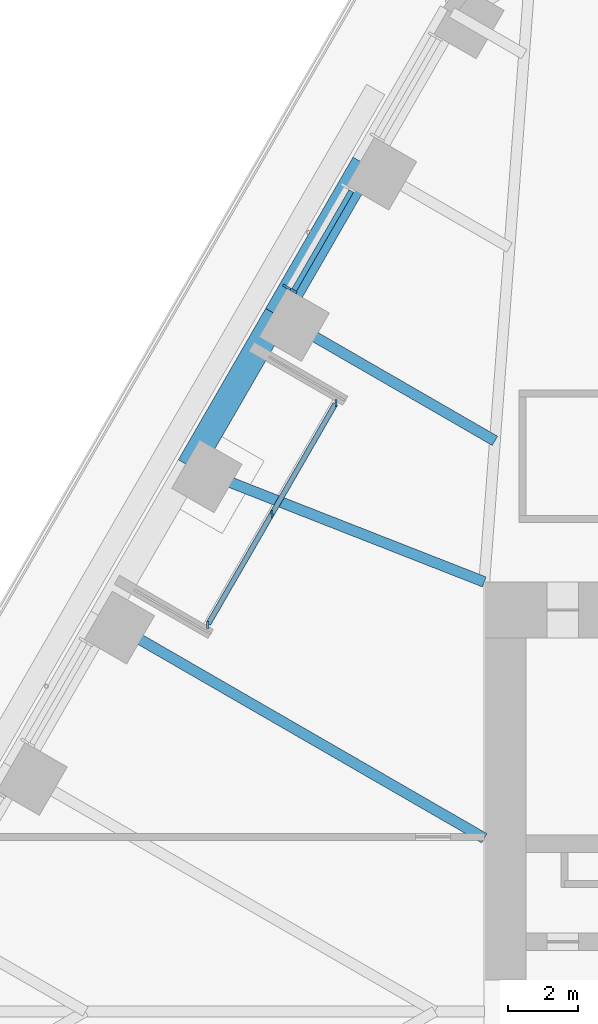
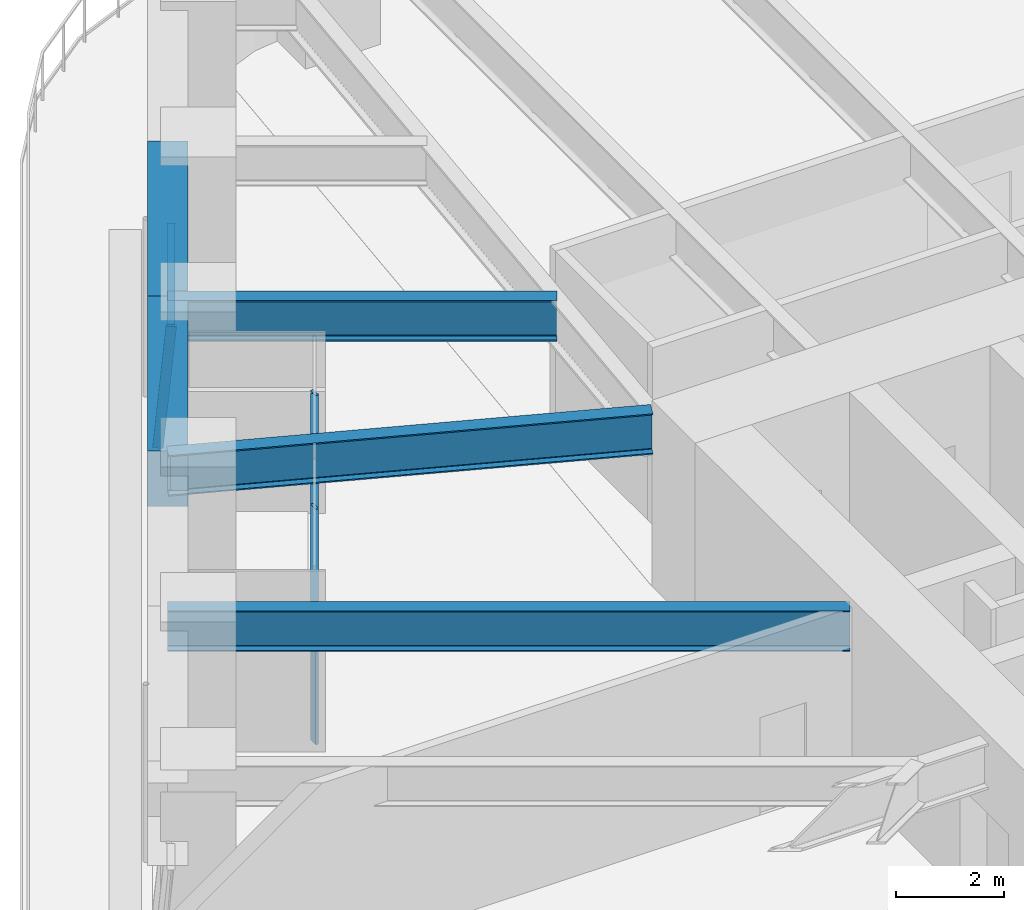
# One storey, part 8 of 24: 6 members, 5 beams, 2 elements without a shape of their own.
"""IFC4 building model written with IfcOpenShell, lengths in metres."""

from ifc_helpers import new_model, si_unit, direction, frame, origin, origin_2d, place, context, subcontext, project, spatial, rectangle, i_section, extrude, material, material_profile, profile_set, type_object, element, aggregate, save


model = new_model("IFC4")

# Units and contexts
model_context = context("Model", 3, precision=1e-05, world=origin(), true_north=direction((0.0, 1.0)))
body_context = subcontext(model_context, "Body", "Model", "MODEL_VIEW")
ifc_project = project(units=[si_unit("LENGTHUNIT", "METRE"), si_unit("AREAUNIT", "SQUARE_METRE"), si_unit("VOLUMEUNIT", "CUBIC_METRE"), si_unit("PLANEANGLEUNIT", "RADIAN"), si_unit("MASSUNIT", "GRAM", prefix="KILO")], contexts=[model_context])

# Site, building, storey
site_placement = place(None, origin())
site = spatial("IfcSite", under=ifc_project, at=site_placement, CompositionType="ELEMENT")
building_placement = place(site_placement, origin())
building = spatial("IfcBuilding", under=site, at=building_placement, Name="Tarfa Lantern Tower", CompositionType="ELEMENT")
storey_placement = place(building_placement, frame((0.0, 0.0, 169.89990234375)))
storey = spatial("IfcBuildingStorey", under=building, at=storey_placement, Name="L38", CompositionType="ELEMENT", Elevation=169.89990234375)

# Curtain wall, member
ifc_material_1 = material(Name="Aluminium framed curtain wall", Category="aluminium")
curtain_wall_type_1 = type_object("IfcCurtainWallType", Name="CW2 CANTED GLAZING MID ZONE 2750", PredefinedType="USERDEFINED", material=ifc_material_1)
curtain_wall_1_placement = place(storey_placement, origin())
curtain_wall_1 = element("IfcCurtainWall", 1, at=curtain_wall_1_placement, inside=storey, type_object=curtain_wall_type_1, Name="CW2 NW L38", ObjectType="CURTAIN WALL", PredefinedType="USERDEFINED")
ifc_material_2 = material(Name="Aluminium mullion", Category="aluminium")
ifc_material_profile_1 = material_profile(ifc_material_2, rectangle(XDim=0.06494140625, YDim=0.199951171875, at=origin_2d()), Name="AL MULLION 65x200")
ifc_profile_set_1 = profile_set([ifc_material_profile_1], Name="Aluminium mullion")
member_type_1 = type_object("IfcMemberType", Name="CWM1 MULLION 65x200", PredefinedType="MULLION", material=ifc_profile_set_1)
member_1_placement = place(storey_placement, frame((-24.275146484375, 20.75439453125, 0.0), z_axis=(0.078422950161, -0.045267813396, 0.995891894715), x_axis=(0.499919672301, 0.866071776036, 0.0)))
member_1 = element("IfcMember", 2, at=member_1_placement, type_object=member_type_1, Name="CW2 mullion 2", PredefinedType="MULLION", context=body_context, shape_type="SweptSolid", body=[
    extrude(rectangle(XDim=0.06494140625, YDim=0.199951171875, at=origin_2d()), origin(), (0.0, 0.0, 1.0), 2.76123046875),
])

# Curtain wall, members
curtain_wall_type_2 = type_object("IfcCurtainWallType", Name="CW10 LOGGIA GLAZING 2750", PredefinedType="USERDEFINED", material=ifc_material_1)
curtain_wall_2_placement = place(storey_placement, origin())
curtain_wall_2 = element("IfcCurtainWall", 3, at=curtain_wall_2_placement, inside=storey, type_object=curtain_wall_type_2, Name="CW10 NWL L38", ObjectType="CURTAIN WALL", PredefinedType="USERDEFINED")
member_2_placement = place(storey_placement, frame((-22.84619140625, 17.429443359375, 0.0), z_axis=(0.0, 0.0, 1.0), x_axis=(1.0, 0.0, 0.0)))
member_2 = element("IfcMember", 4, at=member_2_placement, type_object=member_type_1, Name="CW10 mullion 1", PredefinedType="MULLION", context=body_context, shape_type="SweptSolid", body=[
    extrude(rectangle(XDim=0.06494140625, YDim=0.199951171875, at=origin_2d()), origin(), (0.0, 0.0, 1.0), 2.75),
])
member_3_placement = place(storey_placement, frame((-24.681640625, 14.25, 0.0), z_axis=(0.0, 0.0, 1.0), x_axis=(1.0, 0.0, 0.0)))
member_3 = element("IfcMember", 5, at=member_3_placement, type_object=member_type_1, Name="CW10 mullion 2", PredefinedType="MULLION", context=body_context, shape_type="SweptSolid", body=[
    extrude(rectangle(XDim=0.06494140625, YDim=0.199951171875, at=origin_2d()), origin(), (0.0, 0.0, 1.0), 2.75),
])
member_4_placement = place(storey_placement, frame((-26.517333984375, 11.070556640625, 0.0), z_axis=(0.0, 0.0, 1.0), x_axis=(1.0, 0.0, 0.0)))
member_4 = element("IfcMember", 6, at=member_4_placement, type_object=member_type_1, Name="CW10 mullion 3", PredefinedType="MULLION", context=body_context, shape_type="SweptSolid", body=[
    extrude(rectangle(XDim=0.06494140625, YDim=0.199951171875, at=origin_2d()), origin(), (0.0, 0.0, 1.0), 2.75),
])

# Member
ifc_material_3 = material(Name="Aluminium transom", Category="aluminium")
ifc_material_profile_2 = material_profile(ifc_material_3, rectangle(XDim=0.14990234375, YDim=0.06494140625, at=origin_2d()), Name="AL TRANSOM 150x65")
ifc_profile_set_2 = profile_set([ifc_material_profile_2], Name="Aluminium transom")
member_type_2 = type_object("IfcMemberType", Name="CWT1 TRANSOM 150x65", PredefinedType="USERDEFINED", material=ifc_profile_set_2)
member_5_placement = place(storey_placement, frame((-22.407958984375, 23.494140625, 2.717529296875), z_axis=(-0.500012937857, -0.86601793398, 0.0), x_axis=(0.86601793398, -0.500012937857, 0.0)))
member_5 = element("IfcMember", 7, at=member_5_placement, type_object=member_type_2, Name="CW2 transom 1.2", ObjectType="TRANSOM", PredefinedType="USERDEFINED", context=body_context, shape_type="SweptSolid", body=[
    extrude(rectangle(XDim=0.14990234375, YDim=0.06494140625, at=origin_2d()), origin(), (0.0, 0.0, 1.0), 3.27392578125),
])

aggregate(curtain_wall_1, [member_1, member_5])

member_6_placement = place(storey_placement, frame((-22.8623046875, 17.401123046875, 2.717529296875), z_axis=(-0.500007048974, -0.866021334019, 0.0), x_axis=(0.866021334019, -0.500007048974, 0.0)))
member_6 = element("IfcMember", 8, at=member_6_placement, type_object=member_type_2, Name="CW10 transom 1.2", ObjectType="TRANSOM", PredefinedType="USERDEFINED", context=body_context, shape_type="SweptSolid", body=[
    extrude(rectangle(XDim=0.14990234375, YDim=0.06494140625, at=origin_2d()), origin(), (0.0, 0.0, 1.0), 7.27734375),
])

aggregate(curtain_wall_2, [member_2, member_3, member_4, member_6])

# Beams
ifc_material_4 = material(Name="Concrete C80/95", Category="concrete")
ifc_material_profile_3 = material_profile(ifc_material_4, rectangle(XDim=0.75, YDim=1.25, at=origin_2d()), Name="RC 750x1250")
ifc_profile_set_3 = profile_set([ifc_material_profile_3], Name="Concrete C80/95")
beam_type_1 = type_object("IfcBeamType", Name="EB2 RC 750x1250", PredefinedType="SPANDREL", material=ifc_profile_set_3)
for number, where, z_axis, x_axis, name in (
    (9, (-22.03369140625, 24.276611328125, 3.375), (-0.49998573051, -0.866033642122, 0.0), (0.866033642122, -0.49998573051, 0.0), "Edge beam NW1"),
    (10, (-24.535400390625, 19.943359375, 3.375), (-0.500022324899, -0.866012514114, 0.0), (0.866012514114, -0.500022324899, 0.0), "Edge beam NW2"),
):
    element("IfcBeam", number, at=place(storey_placement, frame(where, z_axis=z_axis, x_axis=x_axis)), inside=storey, type_object=beam_type_1, Name=name, PredefinedType="SPANDREL", context=body_context, shape_type="SweptSolid", body=[
        extrude(rectangle(XDim=0.75, YDim=1.25, at=origin_2d()), origin(), (0.0, 0.0, 1.0), 5.003662109375),
    ])
ifc_material_5 = material(Name="Steel S460M", Category="steel")
ifc_material_profile_4 = material_profile(ifc_material_5, i_section(OverallWidth=0.305419921875, OverallDepth=0.91845703125, WebThickness=0.017333984375, FlangeThickness=0.02783203125, FilletRadius=0.01904296875, at=origin_2d()), Name="UB914x305x253")
ifc_profile_set_4 = profile_set([ifc_material_profile_4], Name="Steel S460M")
beam_type_2 = type_object("IfcBeamType", Name="UB914x305x253", PredefinedType="BEAM", material=ifc_profile_set_4)
beam_1_placement = place(storey_placement, frame((-24.535400390625, 19.943359375, 3.541015625), z_axis=(0.86602647304, -0.499998147991, 0.0), x_axis=(0.499998147991, 0.86602647304, 0.0)))
element("IfcBeam", 11, at=beam_1_placement, inside=storey, type_object=beam_type_2, Name="Floor beam NW2", PredefinedType="BEAM", context=body_context, shape_type="SweptSolid", body=[
    extrude(i_section(OverallWidth=0.305419921875, OverallDepth=0.91845703125, WebThickness=0.017333984375, FlangeThickness=0.02783203125, FilletRadius=0.01904296875, at=origin_2d()), origin(), (0.0, 0.0, 1.0), 7.20556640625),
])
beam_2_placement = place(storey_placement, frame((-27.037353515625, 15.610107421875, 3.541015625), z_axis=(0.930923282782, -0.365214788274, 0.0), x_axis=(0.365214788274, 0.930923282782, 0.0)))
element("IfcBeam", 12, at=beam_2_placement, inside=storey, type_object=beam_type_2, Name="Floor beam NW3", PredefinedType="BEAM", context=body_context, shape_type="SweptSolid", body=[
    extrude(i_section(OverallWidth=0.305419921875, OverallDepth=0.91845703125, WebThickness=0.017333984375, FlangeThickness=0.02783203125, FilletRadius=0.01904296875, at=origin_2d()), origin(), (0.0, 0.0, 1.0), 9.063232421875),
])
beam_3_placement = place(storey_placement, frame((-29.5390625, 11.276611328125, 3.541015625), z_axis=(0.866023362995, -0.500003534735, 0.0), x_axis=(0.500003534735, 0.866023362995, 0.0)))
element("IfcBeam", 13, at=beam_3_placement, inside=storey, type_object=beam_type_2, Name="Floor beam NW4", PredefinedType="BEAM", context=body_context, shape_type="SweptSolid", body=[
    extrude(i_section(OverallWidth=0.305419921875, OverallDepth=0.91845703125, WebThickness=0.017333984375, FlangeThickness=0.02783203125, FilletRadius=0.01904296875, at=origin_2d()), origin(), (0.0, 0.0, 1.0), 12.63134765625),
])

save(model, "model.ifc")
